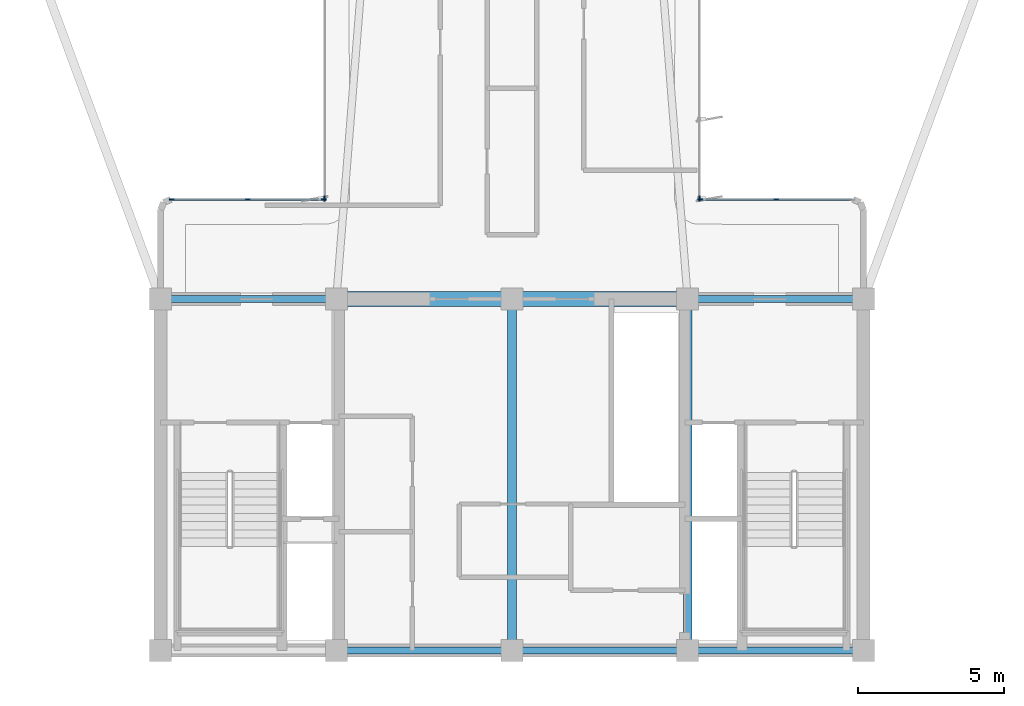
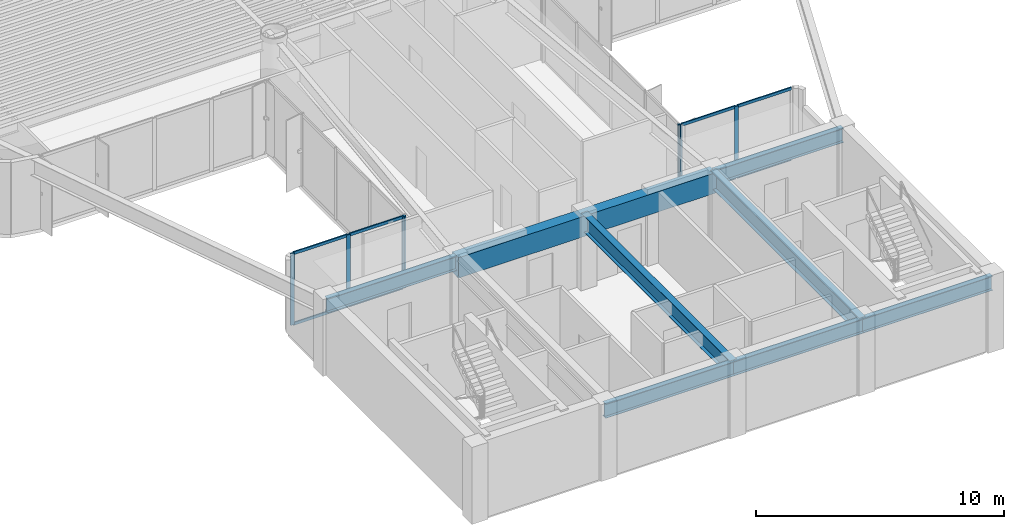
# One storey, part 2 of 15: 15 members, 8 beams, 4 elements without a shape of their own.
"""IFC4 building model written with IfcOpenShell, lengths in metres."""

from ifc_helpers import new_model, si_unit, direction, frame, origin, origin_2d, place, context, subcontext, project, spatial, rectangle, i_section, extrude, source, transform, mapped, material, layer, layer_set, material_profile, profile_set, type_object, element, aggregate, save


model = new_model("IFC4")

# Units and contexts
model_context = context("Model", 3, precision=1e-05, world=origin(), true_north=direction((0.0, 1.0)))
body_context = subcontext(model_context, "Body", "Model", "MODEL_VIEW")
ifc_project = project(units=[si_unit("LENGTHUNIT", "METRE"), si_unit("AREAUNIT", "SQUARE_METRE"), si_unit("VOLUMEUNIT", "CUBIC_METRE"), si_unit("PLANEANGLEUNIT", "RADIAN"), si_unit("MASSUNIT", "GRAM", prefix="KILO")], contexts=[model_context])

# Site, building, storey
site_placement = place(None, origin())
site = spatial("IfcSite", under=ifc_project, at=site_placement, CompositionType="ELEMENT")
building_placement = place(site_placement, origin())
building = spatial("IfcBuilding", under=site, at=building_placement, Name="Brelvock Crest Care Tower", CompositionType="ELEMENT")
storey_placement = place(building_placement, frame((0.0, 0.0, 160.199951171875)))
storey = spatial("IfcBuildingStorey", under=building, at=storey_placement, Name="L40", CompositionType="ELEMENT", Elevation=160.199951171875)

# Beams
ifc_material_1 = material(Name="Steel Grade 350", Category="steel")
ifc_material_profile_1 = material_profile(ifc_material_1, i_section(OverallWidth=0.25, OverallDepth=0.699951171875, WebThickness=0.011962890625, FlangeThickness=0.02001953125, at=origin_2d()), Name="700WB150")
ifc_profile_set_1 = profile_set([ifc_material_profile_1], Name="Steel Grade 350")
beam_type_1 = type_object("IfcBeamType", Name="BM-G4", PredefinedType="BEAM", material=ifc_profile_set_1)
shared_shape_1 = source(origin(), body_context, "Body", "SweptSolid", [
    extrude(i_section(OverallWidth=0.25, OverallDepth=0.699951171875, WebThickness=0.011962890625, FlangeThickness=0.02001953125, at=origin_2d()), origin(), (0.0, 0.0, 1.0), 6.0),
])
for number, where, z_axis, x_axis, name in (
    (1, (24.0, 18.0, 3.179931640625), (1.0, 0.0, 0.0), (0.0, 1.0, 0.0), "BM-COREN-L40-1"),
    (2, (30.0, 6.0, 3.179931640625), (1.0, 0.0, 0.0), (0.0, 1.0, 0.0), "BM-CORES-L40-2"),
    (3, (36.0, 6.0, 3.179931640625), (1.0, 0.0, 0.0), (0.0, 1.0, 0.0), "BM-CORES-L40-3"),
    (4, (42.0, 6.0, 3.179931640625), (1.0, 0.0, 0.0), (0.0, 1.0, 0.0), "BM-CORES-L40-4"),
    (5, (42.0, 18.0, 3.179931640625), (1.0, 0.0, 0.0), (0.0, 1.0, 0.0), "BM-COREN-L40-4"),
):
    element("IfcBeam", number, at=place(storey_placement, frame(where, z_axis=z_axis, x_axis=x_axis)), inside=storey, type_object=beam_type_1, Name=name, PredefinedType="BEAM", context=body_context, shape_type="MappedRepresentation", body=[
        mapped(shared_shape_1, transform((0.0, 0.0, 0.0), x_axis=(1.0, 0.0, 0.0), y_axis=(0.0, 1.0, 0.0), z_axis=(0.0, 0.0, 1.0), scale=1.0)),
    ])
ifc_material_profile_2 = material_profile(ifc_material_1, i_section(OverallWidth=0.300048828125, OverallDepth=0.800048828125, WebThickness=0.013916015625, FlangeThickness=0.02197265625, at=origin_2d()), Name="800WB192")
ifc_profile_set_2 = profile_set([ifc_material_profile_2], Name="Steel Grade 350")
beam_type_2 = type_object("IfcBeamType", Name="BM-G5", PredefinedType="BEAM", material=ifc_profile_set_2)
shared_shape_2 = source(origin(), body_context, "Body", "SweptSolid", [
    extrude(i_section(OverallWidth=0.300048828125, OverallDepth=0.800048828125, WebThickness=0.013916015625, FlangeThickness=0.02197265625, at=origin_2d()), origin(), (0.0, 0.0, 1.0), 12.0),
])
for number, where, z_axis, x_axis, name in (
    (6, (36.0, 6.0, 3.130126953125), (0.0, 1.0, 0.0), (-1.0, 0.0, 0.0), "BM-COREX-L40-3"),
    (7, (42.0, 6.0, 3.130126953125), (0.0, 1.0, 0.0), (-1.0, 0.0, 0.0), "BM-COREX-L40-4"),
):
    element("IfcBeam", number, at=place(storey_placement, frame(where, z_axis=z_axis, x_axis=x_axis)), inside=storey, type_object=beam_type_2, Name=name, PredefinedType="BEAM", context=body_context, shape_type="MappedRepresentation", body=[
        mapped(shared_shape_2, transform((0.0, 0.0, 0.0), x_axis=(1.0, 0.0, 0.0), y_axis=(0.0, 1.0, 0.0), z_axis=(0.0, 0.0, 1.0), scale=1.0)),
    ])
ifc_material_2 = material(Name="Concrete S65 (65 MPa)", Category="concrete")
ifc_material_profile_3 = material_profile(ifc_material_2, rectangle(XDim=0.5, YDim=1.0, at=origin_2d()), Name="RC500x1000")
ifc_profile_set_3 = profile_set([ifc_material_profile_3], Name="Concrete S65 (65 MPa)")
beam_type_3 = type_object("IfcBeamType", Name="BM-LN2", PredefinedType="LINTEL", material=ifc_profile_set_3)
shared_shape_3 = source(origin(), body_context, "Body", "SweptSolid", [
    extrude(rectangle(XDim=0.5, YDim=1.0, at=origin_2d()), origin(), (0.0, 0.0, 1.0), 12.0),
])
beam_placement = place(storey_placement, frame((30.0, 18.0, 3.030029296875), z_axis=(1.0, 0.0, 0.0), x_axis=(0.0, 1.0, 0.0)))
element("IfcBeam", 8, at=beam_placement, inside=storey, type_object=beam_type_3, Name="L40 Core Coupling Lintel Beam", PredefinedType="LINTEL", context=body_context, shape_type="MappedRepresentation", body=[
    mapped(shared_shape_3, transform((0.0, 0.0, 0.0), x_axis=(1.0, 0.0, 0.0), y_axis=(0.0, 1.0, 0.0), z_axis=(0.0, 0.0, 1.0), scale=1.0)),
])

# Curtain wall, members
ifc_material_3 = material(Name="Dark Glass Double Glazed Low-E", Category="glass")
ifc_layer = layer(ifc_material_3, 0.22509765625, Name="CWS-4")
ifc_layer_set = layer_set([ifc_layer], Name="Dark Glass Double Glazed Low-E")
curtain_wall_type = type_object("IfcCurtainWallType", Name="CWS-4", PredefinedType="NOTDEFINED", material=ifc_layer_set)
curtain_wall_1_placement = place(storey_placement, origin())
curtain_wall_1 = element("IfcCurtainWall", 9, at=curtain_wall_1_placement, inside=storey, type_object=curtain_wall_type, Name="L40 Curtain Wall E10", PredefinedType="NOTDEFINED")
ifc_material_4 = material(Name="Aluminium 6063-T6", Category="aluminium")
ifc_material_profile_4 = material_profile(ifc_material_4, rectangle(XDim=0.06005859375, YDim=0.179931640625, at=origin_2d()), Name="ALU60x180")
ifc_profile_set_4 = profile_set([ifc_material_profile_4], Name="Aluminium 6063-T6")
member_type_1 = type_object("IfcMemberType", Name="CWM-2", PredefinedType="MULLION", material=ifc_profile_set_4)
shared_shape_4 = source(origin(), body_context, "Body", "SweptSolid", [
    extrude(rectangle(XDim=0.06005859375, YDim=0.179931640625, at=origin_2d()), origin(), (0.0, 0.0, 1.0), 3.530029296875),
])
member_1_placement = place(storey_placement, frame((24.3798828125, 21.39990234375, 0.0), z_axis=(0.0, 0.0, 1.0), x_axis=(0.0, 1.0, 0.0)))
member_1 = element("IfcMember", 10, at=member_1_placement, type_object=member_type_1, Name="CW-4 mullion 1", PredefinedType="MULLION", context=body_context, shape_type="MappedRepresentation", body=[
    mapped(shared_shape_4, transform((0.0, 0.0, 0.0), x_axis=(1.0, 0.0, 0.0), y_axis=(0.0, 1.0, 0.0), z_axis=(0.0, 0.0, 1.0), scale=1.0)),
])
member_2_placement = place(storey_placement, frame((26.97509765625, 21.39990234375, 0.0), z_axis=(0.0, 0.0, 1.0), x_axis=(0.0, 1.0, 0.0)))
member_2 = element("IfcMember", 11, at=member_2_placement, type_object=member_type_1, Name="CW-4 mullion 2", PredefinedType="MULLION", context=body_context, shape_type="MappedRepresentation", body=[
    mapped(shared_shape_4, transform((0.0, 0.0, 0.0), x_axis=(1.0, 0.0, 0.0), y_axis=(0.0, 1.0, 0.0), z_axis=(0.0, 0.0, 1.0), scale=1.0)),
])
member_3_placement = place(storey_placement, frame((29.570068359375, 21.39990234375, 0.0), z_axis=(0.0, 0.0, 1.0), x_axis=(0.0, 1.0, 0.0)))
member_3 = element("IfcMember", 12, at=member_3_placement, type_object=member_type_1, Name="CW-4 mullion 3", PredefinedType="MULLION", context=body_context, shape_type="MappedRepresentation", body=[
    mapped(shared_shape_4, transform((0.0, 0.0, 0.0), x_axis=(1.0, 0.0, 0.0), y_axis=(0.0, 1.0, 0.0), z_axis=(0.0, 0.0, 1.0), scale=1.0)),
])

# Curtain wall, member
curtain_wall_2_placement = place(storey_placement, origin())
curtain_wall_2 = element("IfcCurtainWall", 13, at=curtain_wall_2_placement, inside=storey, type_object=curtain_wall_type, Name="L40 Curtain Wall E11", PredefinedType="NOTDEFINED")
member_4_placement = place(storey_placement, frame((29.60009765625, 21.429931640625, 0.0), z_axis=(0.0, 0.0, 1.0), x_axis=(-1.0, 0.0, 0.0)))
member_4 = element("IfcMember", 14, at=member_4_placement, type_object=member_type_1, Name="CW-4 mullion 1", PredefinedType="MULLION", context=body_context, shape_type="MappedRepresentation", body=[
    mapped(shared_shape_4, transform((0.0, 0.0, 0.0), x_axis=(1.0, 0.0, 0.0), y_axis=(0.0, 1.0, 0.0), z_axis=(0.0, 0.0, 1.0), scale=1.0)),
])
aggregate(curtain_wall_2, [member_4])

curtain_wall_3_placement = place(storey_placement, origin())
curtain_wall_3 = element("IfcCurtainWall", 15, at=curtain_wall_3_placement, inside=storey, type_object=curtain_wall_type, Name="L40 Curtain Wall E45", PredefinedType="NOTDEFINED")
member_5_placement = place(storey_placement, frame((42.39990234375, 21.429931640625, 0.0), z_axis=(0.0, 0.0, 1.0), x_axis=(1.0, 0.0, 0.0)))
member_5 = element("IfcMember", 16, at=member_5_placement, type_object=member_type_1, Name="CW-4 mullion 5", PredefinedType="MULLION", context=body_context, shape_type="MappedRepresentation", body=[
    mapped(shared_shape_4, transform((0.0, 0.0, 0.0), x_axis=(1.0, 0.0, 0.0), y_axis=(0.0, 1.0, 0.0), z_axis=(0.0, 0.0, 1.0), scale=1.0)),
])
aggregate(curtain_wall_3, [member_5])

# Curtain wall, members
curtain_wall_4_placement = place(storey_placement, origin())
curtain_wall_4 = element("IfcCurtainWall", 17, at=curtain_wall_4_placement, inside=storey, type_object=curtain_wall_type, Name="L40 Curtain Wall E46", PredefinedType="NOTDEFINED")
member_6_placement = place(storey_placement, frame((42.429931640625, 21.39990234375, 0.0), z_axis=(0.0, 0.0, 1.0), x_axis=(0.0, 1.0, 0.0)))
member_6 = element("IfcMember", 18, at=member_6_placement, type_object=member_type_1, Name="CW-4 mullion 1", PredefinedType="MULLION", context=body_context, shape_type="MappedRepresentation", body=[
    mapped(shared_shape_4, transform((0.0, 0.0, 0.0), x_axis=(1.0, 0.0, 0.0), y_axis=(0.0, 1.0, 0.0), z_axis=(0.0, 0.0, 1.0), scale=1.0)),
])
member_7_placement = place(storey_placement, frame((45.02490234375, 21.39990234375, 0.0), z_axis=(0.0, 0.0, 1.0), x_axis=(0.0, 1.0, 0.0)))
member_7 = element("IfcMember", 19, at=member_7_placement, type_object=member_type_1, Name="CW-4 mullion 2", PredefinedType="MULLION", context=body_context, shape_type="MappedRepresentation", body=[
    mapped(shared_shape_4, transform((0.0, 0.0, 0.0), x_axis=(1.0, 0.0, 0.0), y_axis=(0.0, 1.0, 0.0), z_axis=(0.0, 0.0, 1.0), scale=1.0)),
])

# Member
ifc_material_profile_5 = material_profile(ifc_material_4, rectangle(XDim=0.06005859375, YDim=0.139892578125, at=origin_2d()), Name="ALU60x140")
ifc_profile_set_5 = profile_set([ifc_material_profile_5], Name="Aluminium 6063-T6")
member_type_2 = type_object("IfcMemberType", Name="CWT-2", PredefinedType="USERDEFINED", material=ifc_profile_set_5)
shared_shape_5 = source(origin(), body_context, "Body", "SweptSolid", [
    extrude(rectangle(XDim=0.06005859375, YDim=0.139892578125, at=origin_2d()), origin(), (0.0, 0.0, 1.0), 2.53515625),
])
member_8_placement = place(storey_placement, frame((24.409912109375, 21.39990234375, 0.030029296875), z_axis=(1.0, 0.0, 0.0), x_axis=(0.0, 1.0, 0.0)))
member_8 = element("IfcMember", 20, at=member_8_placement, type_object=member_type_2, Name="CW-4 transom 1.1", ObjectType="TRANSOM", PredefinedType="USERDEFINED", context=body_context, shape_type="MappedRepresentation", body=[
    mapped(shared_shape_5, transform((0.0, 0.0, 0.0), x_axis=(1.0, 0.0, 0.0), y_axis=(0.0, 1.0, 0.0), z_axis=(0.0, 0.0, 1.0), scale=1.0)),
])

member_9_placement = place(storey_placement, frame((24.409912109375, 21.39990234375, 3.5), z_axis=(1.0, 0.0, 0.0), x_axis=(0.0, 1.0, 0.0)))
member_9 = element("IfcMember", 21, at=member_9_placement, type_object=member_type_2, Name="CW-4 transom 1.2", ObjectType="TRANSOM", PredefinedType="USERDEFINED", context=body_context, shape_type="MappedRepresentation", body=[
    mapped(shared_shape_5, transform((0.0, 0.0, 0.0), x_axis=(1.0, 0.0, 0.0), y_axis=(0.0, 1.0, 0.0), z_axis=(0.0, 0.0, 1.0), scale=1.0)),
])

member_10_placement = place(storey_placement, frame((27.0048828125, 21.39990234375, 0.030029296875), z_axis=(1.0, 0.0, 0.0), x_axis=(0.0, 1.0, 0.0)))
member_10 = element("IfcMember", 22, at=member_10_placement, type_object=member_type_2, Name="CW-4 transom 2.1", ObjectType="TRANSOM", PredefinedType="USERDEFINED", context=body_context, shape_type="MappedRepresentation", body=[
    mapped(shared_shape_5, transform((0.0, 0.0, 0.0), x_axis=(1.0, 0.0, 0.0), y_axis=(0.0, 1.0, 0.0), z_axis=(0.0, 0.0, 1.0), scale=1.0)),
])

member_11_placement = place(storey_placement, frame((27.0048828125, 21.39990234375, 3.5), z_axis=(1.0, 0.0, 0.0), x_axis=(0.0, 1.0, 0.0)))
member_11 = element("IfcMember", 23, at=member_11_placement, type_object=member_type_2, Name="CW-4 transom 2.2", ObjectType="TRANSOM", PredefinedType="USERDEFINED", context=body_context, shape_type="MappedRepresentation", body=[
    mapped(shared_shape_5, transform((0.0, 0.0, 0.0), x_axis=(1.0, 0.0, 0.0), y_axis=(0.0, 1.0, 0.0), z_axis=(0.0, 0.0, 1.0), scale=1.0)),
])

aggregate(curtain_wall_1, [member_1, member_2, member_3, member_8, member_9, member_10, member_11])

member_12_placement = place(storey_placement, frame((42.4599609375, 21.39990234375, 0.030029296875), z_axis=(1.0, 0.0, 0.0), x_axis=(0.0, 1.0, 0.0)))
member_12 = element("IfcMember", 24, at=member_12_placement, type_object=member_type_2, Name="CW-4 transom 1.1", ObjectType="TRANSOM", PredefinedType="USERDEFINED", context=body_context, shape_type="MappedRepresentation", body=[
    mapped(shared_shape_5, transform((0.0, 0.0, 0.0), x_axis=(1.0, 0.0, 0.0), y_axis=(0.0, 1.0, 0.0), z_axis=(0.0, 0.0, 1.0), scale=1.0)),
])

member_13_placement = place(storey_placement, frame((42.4599609375, 21.39990234375, 3.5), z_axis=(1.0, 0.0, 0.0), x_axis=(0.0, 1.0, 0.0)))
member_13 = element("IfcMember", 25, at=member_13_placement, type_object=member_type_2, Name="CW-4 transom 1.2", ObjectType="TRANSOM", PredefinedType="USERDEFINED", context=body_context, shape_type="MappedRepresentation", body=[
    mapped(shared_shape_5, transform((0.0, 0.0, 0.0), x_axis=(1.0, 0.0, 0.0), y_axis=(0.0, 1.0, 0.0), z_axis=(0.0, 0.0, 1.0), scale=1.0)),
])

member_14_placement = place(storey_placement, frame((45.054931640625, 21.39990234375, 0.030029296875), z_axis=(1.0, 0.0, 0.0), x_axis=(0.0, 1.0, 0.0)))
member_14 = element("IfcMember", 26, at=member_14_placement, type_object=member_type_2, Name="CW-4 transom 2.1", ObjectType="TRANSOM", PredefinedType="USERDEFINED", context=body_context, shape_type="MappedRepresentation", body=[
    mapped(shared_shape_5, transform((0.0, 0.0, 0.0), x_axis=(1.0, 0.0, 0.0), y_axis=(0.0, 1.0, 0.0), z_axis=(0.0, 0.0, 1.0), scale=1.0)),
])

member_15_placement = place(storey_placement, frame((45.054931640625, 21.39990234375, 3.5), z_axis=(1.0, 0.0, 0.0), x_axis=(0.0, 1.0, 0.0)))
member_15 = element("IfcMember", 27, at=member_15_placement, type_object=member_type_2, Name="CW-4 transom 2.2", ObjectType="TRANSOM", PredefinedType="USERDEFINED", context=body_context, shape_type="MappedRepresentation", body=[
    mapped(shared_shape_5, transform((0.0, 0.0, 0.0), x_axis=(1.0, 0.0, 0.0), y_axis=(0.0, 1.0, 0.0), z_axis=(0.0, 0.0, 1.0), scale=1.0)),
])

aggregate(curtain_wall_4, [member_6, member_7, member_12, member_13, member_14, member_15])

save(model, "model.ifc")
